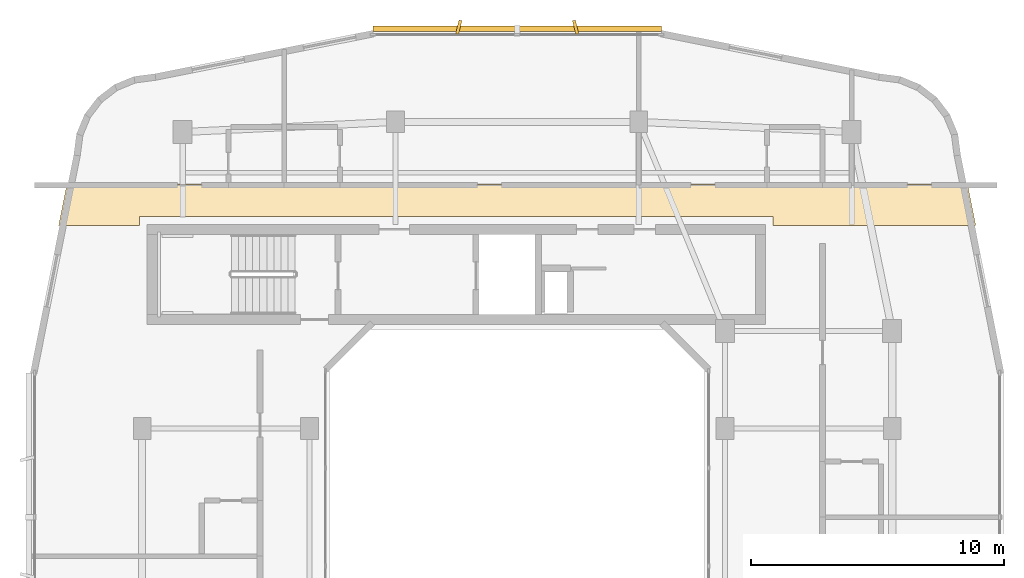
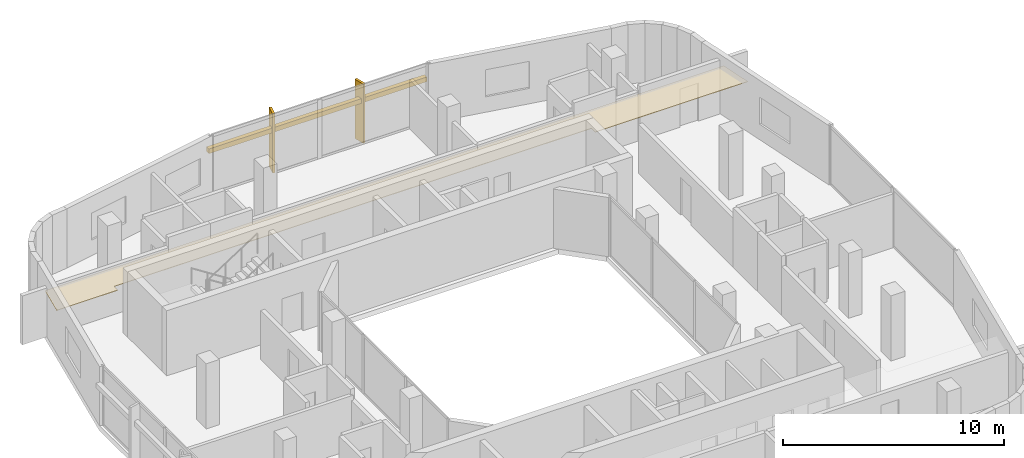
# One storey, part 13 of 13: 3 shading devices, 1 covering.
"""IFC4 building model written with IfcOpenShell, lengths in metres."""

from ifc_helpers import new_model, si_unit, derived_unit, direction, frame, origin, origin_2d, place, context, subcontext, project, spatial, polyline, rectangle, outline, extrude, material, layer, layer_set, type_object, element, save


model = new_model("IFC4")

# Units and contexts
model_context = context("Model", 3, precision=1e-05, world=origin(), true_north=direction((0.0, 1.0)))
body_context = subcontext(model_context, "Body", "Model", "MODEL_VIEW")
ifc_project = project(units=[si_unit("LENGTHUNIT", "METRE"), si_unit("AREAUNIT", "SQUARE_METRE"), si_unit("VOLUMEUNIT", "CUBIC_METRE"), si_unit("PLANEANGLEUNIT", "RADIAN"), si_unit("MASSUNIT", "GRAM", prefix="KILO"), derived_unit("THERMALTRANSMITTANCEUNIT", [(si_unit("POWERUNIT", "WATT"), 1), (si_unit("LENGTHUNIT", "METRE"), -2), (si_unit("THERMODYNAMICTEMPERATUREUNIT", "KELVIN"), -1)])], contexts=[model_context])

# Site, building, storey
site_placement = place(None, origin())
site = spatial("IfcSite", under=ifc_project, at=site_placement, CompositionType="ELEMENT")
building_placement = place(site_placement, origin())
building = spatial("IfcBuilding", under=site, at=building_placement, Name="Kivonza Crest Hotel", CompositionType="ELEMENT")
storey_placement = place(building_placement, frame((0.0, 0.0, 235.10009765625)))
storey = spatial("IfcBuildingStorey", under=building, at=storey_placement, Name="L64", CompositionType="ELEMENT", Elevation=235.10009765625)

# Covering
ifc_material_1 = material(Name="Moisture-resistant gypsum plasterboard ceiling", Category="gypsum")
ifc_layer = layer(ifc_material_1, 0.030029296875)
ifc_layer_set = layer_set([ifc_layer], Name="Moisture-resistant gypsum plasterboard ceiling")
covering_type = type_object("IfcCoveringType", Name="CV-CEIL-GYP", PredefinedType="CEILING", material=ifc_layer_set)
covering_placement = place(storey_placement, frame((0.0, 0.0, 2.449951171875)))
element("IfcCovering", 1, at=covering_placement, inside=storey, type_object=covering_type, Name="L64 Hotel North Guest Corridor suspended ceiling", PredefinedType="CEILING", context=body_context, shape_type="SweptSolid", body=[
    extrude(outline(polyline([(3.22802734375, 38.139892578125), (2.906005859375, 36.52001953125), (6.10009765625, 36.52001953125), (6.10009765625, 36.860107421875), (31.10009765625, 36.860107421875), (31.10009765625, 36.52001953125), (39.093994140625, 36.52001953125), (38.77197265625, 38.139892578125), (3.22802734375, 38.139892578125)])), origin(), (0.0, 0.0, 1.0), 0.030029296875),
])

# Shading devices
ifc_material_2 = material(Name="Kiln-fired Nairobi red-ochre terracotta", Category="masonry")
shading_device_type_1 = type_object("IfcShadingDeviceType", Name="SH-BAGUETTE-300", PredefinedType="USERDEFINED", material=ifc_material_2)
shading_device_placement = place(storey_placement, frame((21.0, 44.280029296875, 2.166015625), z_axis=(0.0, 0.0, 1.0), x_axis=(-1.0, 0.0, 0.0)))
element("IfcShadingDevice", 2, at=shading_device_placement, inside=storey, type_object=shading_device_type_1, Name="L64 terracotta baguette screen CW-T1-L64-26", ObjectType="BAGUETTE", PredefinedType="USERDEFINED", context=body_context, shape_type="SweptSolid", body=[
    extrude(rectangle(XDim=11.39990234375, YDim=0.219970703125, at=origin_2d()), origin(), (0.0, 0.0, 1.0), 0.260009765625),
])
ifc_material_3 = material(Name="Kiln-fired terracotta over extruded aluminium spine", Category="masonry")
shading_device_type_2 = type_object("IfcShadingDeviceType", Name="SH-FIN-550", PredefinedType="USERDEFINED", material=ifc_material_3)
for number, where, z_axis, x_axis, name in (
    (3, (23.303955078125, 44.340087890625, 0.0), (0.0, 0.0, 1.0), (-0.970295726276, -0.2419218956, 0.0), "L64 vertical solar shading fin CW-T1-L64-26-1"),
    (4, (18.696044921875, 44.340087890625, 0.0), (0.0, 0.0, 1.0), (-0.970295726276, 0.2419218956, 0.0), "L64 vertical solar shading fin CW-T1-L64-26-2"),
):
    element("IfcShadingDevice", number, at=place(storey_placement, frame(where, z_axis=z_axis, x_axis=x_axis)), inside=storey, type_object=shading_device_type_2, Name=name, ObjectType="FIN", PredefinedType="USERDEFINED", context=body_context, shape_type="SweptSolid", body=[
        extrude(rectangle(XDim=0.1201171875, YDim=0.550048828125, at=origin_2d()), origin(), (0.0, 0.0, 1.0), 3.280029296875),
    ])

save(model, "model.ifc")
